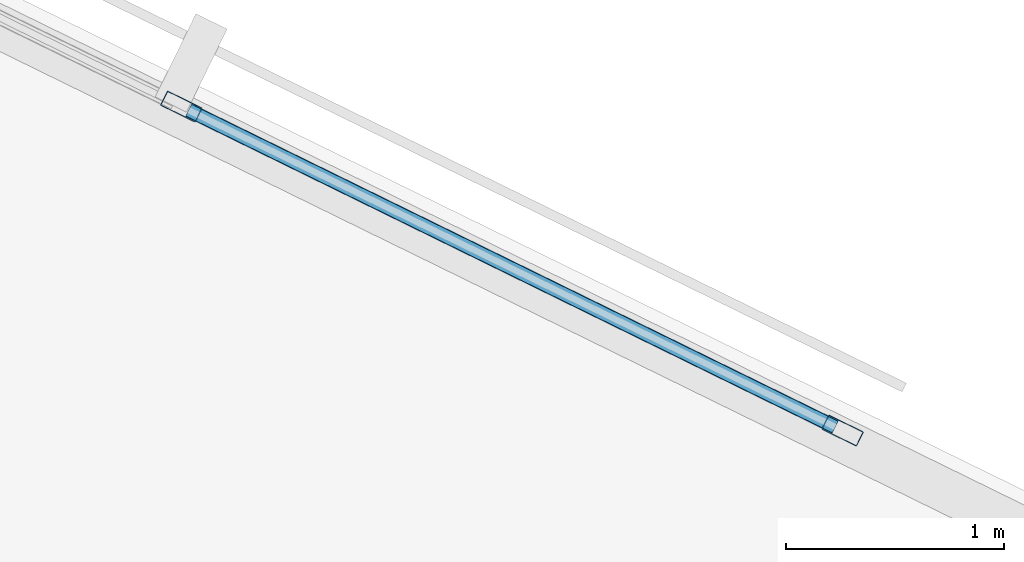
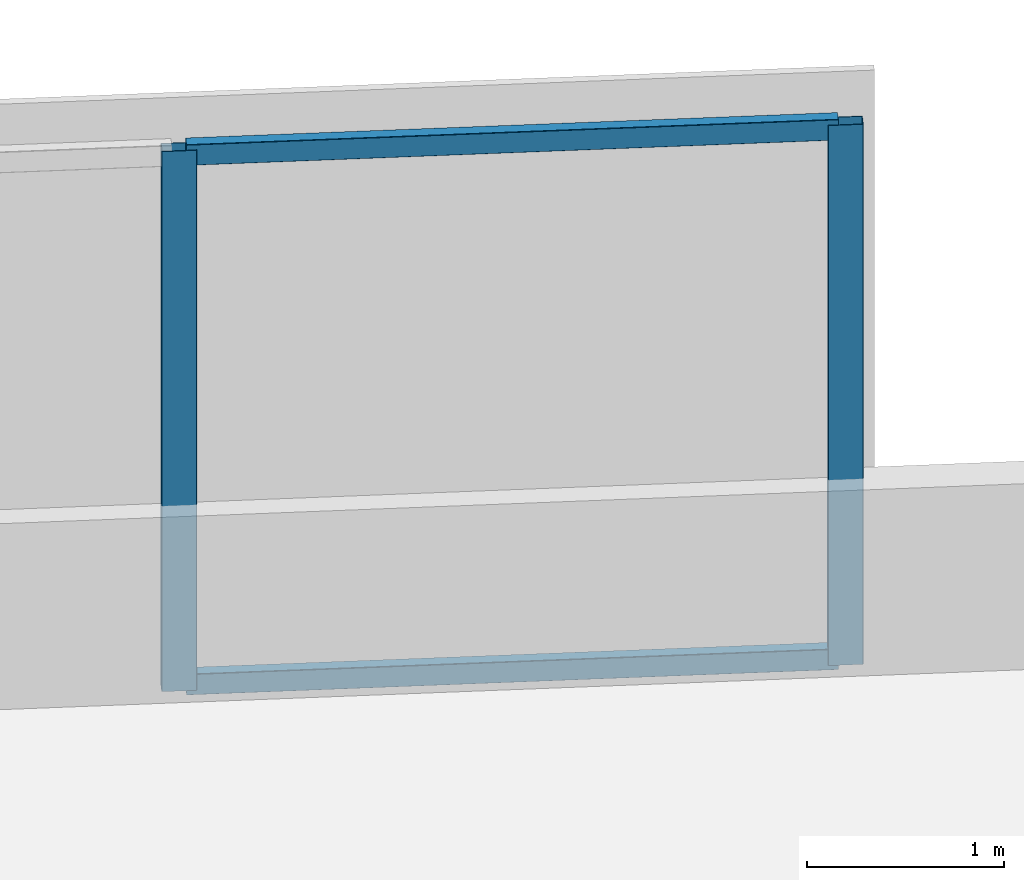
# One storey, part 2 of 18: 4 members, 1 element without a shape of its own.
"""IFC4 building model written with IfcOpenShell, lengths in metres."""

import ifcopenshell
import ifcopenshell.guid

model = None  # the IFC model being written
_history = None  # IfcOwnerHistory: only IFC2X3 demands one
_inside = {}  # id of a spatial element -> (the spatial element, [elements in it])
_under = {}  # id of a project, library or spatial element -> (it, [spatial elements below it])
_declared = {}  # id of a project -> (the project, [libraries it declares])
_typed = {}  # id of a type object -> (the type object, [elements of that type])
_made_of = {}  # id of a material, layer set ... -> (it, [elements and type objects made of it])


def new_model(schema):
    """Start an empty IFC model of exactly this schema.

    Asked for "IFC4X3", IfcOpenShell would pick the latest addendum, in which some entities
    have other attributes; the version numbers below select the first issue.
    IFC2X3 requires an IfcOwnerHistory on every rooted entity: one is made here for all.
    """
    global model, _history
    if schema == "IFC4X3":
        model = ifcopenshell.file(schema_version=(4, 3, 0, 0))
    else:
        model = ifcopenshell.file(schema=schema)
    _inside.clear()
    _under.clear()
    _declared.clear()
    _typed.clear()
    _made_of.clear()
    _history = None
    if model.schema == "IFC2X3":
        org = make("IfcOrganization", Name="unknown")
        user = make(
            "IfcPersonAndOrganization",
            ThePerson=make("IfcPerson", FamilyName="unknown"),
            TheOrganization=org,
        )
        app = make(
            "IfcApplication",
            ApplicationDeveloper=org,
            Version="unknown",
            ApplicationFullName="unknown",
            ApplicationIdentifier="unknown",
        )
        _history = make(
            "IfcOwnerHistory",
            OwningUser=user,
            OwningApplication=app,
            ChangeAction="ADDED",
            CreationDate=0,
        )
    return model


def make(cls, **values):
    """One entity of the class cls with the attributes given. An attribute that is None is left unset."""
    return model.create_entity(
        cls, **{name: value for name, value in values.items() if value is not None}
    )


def rooted(cls, **values):
    """An entity with a GlobalId (a new one), such as an element, a storey or a relation."""
    return make(cls, GlobalId=ifcopenshell.guid.new(), OwnerHistory=_history, **values)


def si_unit(unit_type, name, prefix=None):
    """IfcSIUnit, for example si_unit("LENGTHUNIT", "METRE", prefix="MILLI")."""
    return make("IfcSIUnit", UnitType=unit_type, Prefix=prefix, Name=name)


def assignment(units):
    """IfcUnitAssignment: the units of a project."""
    return None if units is None else make("IfcUnitAssignment", Units=units)


def point(xyz):
    """IfcCartesianPoint."""
    return None if xyz is None else make("IfcCartesianPoint", Coordinates=xyz)


def direction(xyz):
    """IfcDirection."""
    return None if xyz is None else make("IfcDirection", DirectionRatios=xyz)


def frame(location, z_axis=None, x_axis=None):
    """IfcAxis2Placement3D, a coordinate frame: its origin and axes. An axis left out is left unset."""
    return make(
        "IfcAxis2Placement3D",
        Location=point(location),
        Axis=direction(z_axis),
        RefDirection=direction(x_axis),
    )


def frame_2d(location, x_axis=None):
    """IfcAxis2Placement2D, a coordinate frame in the plane: its origin and x axis."""
    return make(
        "IfcAxis2Placement2D", Location=point(location), RefDirection=direction(x_axis)
    )


def origin():
    """The frame at (0, 0, 0) with its axes left unset."""
    return frame((0.0, 0.0, 0.0))


def origin_2d():
    """The frame at (0, 0) in the plane with its x axis left unset."""
    return frame_2d((0.0, 0.0))


def place(relative_to, where):
    """IfcLocalPlacement: puts the frame where relative to a parent placement (None: the world)."""
    return make(
        "IfcLocalPlacement", PlacementRelTo=relative_to, RelativePlacement=where
    )


def context(
    kind, dimensions, precision=None, world=None, true_north=None, identifier=None
):
    """IfcGeometricRepresentationContext, for example the 3D "Model" context."""
    return make(
        "IfcGeometricRepresentationContext",
        ContextIdentifier=identifier,
        ContextType=kind,
        CoordinateSpaceDimension=dimensions,
        Precision=precision,
        WorldCoordinateSystem=world,
        TrueNorth=true_north,
    )


def subcontext(parent, identifier, kind, view, scale=None):
    """IfcGeometricRepresentationSubContext, for example "Body" below "Model"."""
    return make(
        "IfcGeometricRepresentationSubContext",
        ContextIdentifier=identifier,
        ContextType=kind,
        ParentContext=parent,
        TargetScale=scale,
        TargetView=view,
    )


def project(units=None, contexts=None):
    """IfcProject with its units and contexts."""
    return rooted(
        "IfcProject",
        Name="project",
        RepresentationContexts=contexts,
        UnitsInContext=assignment(units),
    )


def spatial(cls, under=None, at=None, **own):
    """A site, building, storey or space (cls), placed at a placement, below another one or the project."""
    s = rooted(cls, ObjectPlacement=at, **own)
    if under is not None:
        _under.setdefault(under.id(), (under, []))[1].append(s)
    return s


def profile(cls, at=None, kind="AREA", **sizes):
    """A parametric profile (cls). Its sizes go by their IFC names, for example OverallWidth=200.0."""
    return make(cls, ProfileType=kind, Position=at, **sizes)


def hollow_rectangle(**sizes):
    """IfcRectangleHollowProfileDef."""
    return profile("IfcRectangleHollowProfileDef", **sizes)


def extrude(swept, where, along, depth):
    """IfcExtrudedAreaSolid: the profile swept, set in the frame where, extruded along a direction by depth."""
    return make(
        "IfcExtrudedAreaSolid",
        SweptArea=swept,
        Position=where,
        ExtrudedDirection=direction(along),
        Depth=depth,
    )


def shape(context_of_items, identifier, shape_type, items):
    """IfcShapeRepresentation: the items that make up one representation, for example the "Body"."""
    return make(
        "IfcShapeRepresentation",
        ContextOfItems=context_of_items,
        RepresentationIdentifier=identifier,
        RepresentationType=shape_type,
        Items=items,
    )


def material(Name=None, Category=None):
    """IfcMaterial."""
    return make("IfcMaterial", Name=Name, Category=Category)


def material_profile(
    of_material, cross_section, Name=None, Category=None, Priority=None
):
    """IfcMaterialProfile: a cross section and its material."""
    return make(
        "IfcMaterialProfile",
        Name=Name,
        Material=of_material,
        Profile=cross_section,
        Priority=Priority,
        Category=Category,
    )


def profile_set(profiles, Name=None, composite=None):
    """IfcMaterialProfileSet."""
    return make(
        "IfcMaterialProfileSet",
        Name=Name,
        MaterialProfiles=profiles,
        CompositeProfile=composite,
    )


def made_of(thing, what):
    """Note that an element or type object is made of a material, layer set ...; save() writes the relation."""
    if what is not None:
        _made_of.setdefault(what.id(), (what, []))[1].append(thing)
    return thing


def type_object(cls, material=None, **own):
    """A type object (cls), such as IfcWallType, which elements share."""
    return made_of(rooted(cls, **own), material)


def element(
    cls,
    number,
    at=None,
    inside=None,
    cuts=None,
    type_object=None,
    material=None,
    context=None,
    identifier="Body",
    shape_type=None,
    held_by="IfcProductDefinitionShape",
    body=None,
    shapes=None,
    **own,
):
    """One element of the class cls, such as IfcWall. Its Tag is "e" and its number.

    at: its placement. inside: the storey or other place that contains it. cuts: it is an
    opening in that element (IfcRelVoidsElement). A single representation is given by context,
    identifier, shape_type and body (its items); several are given by shapes. held_by: the class
    of the entity that holds the representations. save() writes the other relations.
    """
    e = rooted(cls, Tag="e%d" % number, ObjectPlacement=at, **own)
    if body is not None:
        shapes = [shape(context, identifier, shape_type, body)]
    if shapes is not None:
        e.Representation = make(held_by, Representations=shapes)
    if inside is not None:
        _inside.setdefault(inside.id(), (inside, []))[1].append(e)
    if cuts is not None:
        rooted(
            "IfcRelVoidsElement", RelatingBuildingElement=cuts, RelatedOpeningElement=e
        )
    if type_object is not None:
        _typed.setdefault(type_object.id(), (type_object, []))[1].append(e)
    return made_of(e, material)


def aggregate(whole, parts):
    """IfcRelAggregates: a whole, such as a stair, and the parts it consists of."""
    return rooted("IfcRelAggregates", RelatingObject=whole, RelatedObjects=parts)


def save(model, path):
    """Write the relations noted so far, then the file.

    IfcRelAggregates (storeys below a building ...), IfcRelContainedInSpatialStructure (elements
    in a storey), IfcRelDefinesByType, IfcRelAssociatesMaterial and IfcRelDeclares: one each for
    every whole, place, type object, material and project.
    """
    for whole, parts in _under.values():
        aggregate(whole, parts)
    for where, things in _inside.values():
        rooted(
            "IfcRelContainedInSpatialStructure",
            RelatedElements=things,
            RelatingStructure=where,
        )
    for kind, things in _typed.values():
        rooted("IfcRelDefinesByType", RelatedObjects=things, RelatingType=kind)
    for what, things in _made_of.values():
        rooted("IfcRelAssociatesMaterial", RelatedObjects=things, RelatingMaterial=what)
    for by, libraries in _declared.values():
        rooted("IfcRelDeclares", RelatingContext=by, RelatedDefinitions=libraries)
    model.write(path)


model = new_model("IFC4")

# Units and contexts
model_context = context("Model", 3, precision=1e-05, world=origin(), true_north=direction((0.0, 1.0)))
body_context = subcontext(model_context, "Body", "Model", "MODEL_VIEW")
ifc_project = project(units=[si_unit("LENGTHUNIT", "METRE"), si_unit("AREAUNIT", "SQUARE_METRE"), si_unit("VOLUMEUNIT", "CUBIC_METRE"), si_unit("PLANEANGLEUNIT", "RADIAN"), si_unit("MASSUNIT", "GRAM", prefix="KILO")], contexts=[model_context])

# Site, building, storey
site_placement = place(None, origin())
site = spatial("IfcSite", under=ifc_project, at=site_placement, CompositionType="ELEMENT")
building_placement = place(site_placement, origin())
building = spatial("IfcBuilding", under=site, at=building_placement, Name="Narakoshi Arena Tower", CompositionType="ELEMENT")
storey_placement = place(building_placement, frame((0.0, 0.0, 102.89990234375)))
storey = spatial("IfcBuildingStorey", under=building, at=storey_placement, Name="L27", CompositionType="ELEMENT", Elevation=102.89990234375)

# Curtain wall, members
ifc_material = material(Name="Anodised bronze aluminium 6063-T6", Category="aluminium")
curtain_wall_type = type_object("IfcCurtainWallType", Name="CW-HYP-LOW", PredefinedType="NOTDEFINED", material=ifc_material)
curtain_wall_placement = place(storey_placement, origin())
curtain_wall = element("IfcCurtainWall", 1, at=curtain_wall_placement, inside=storey, type_object=curtain_wall_type, Name="L27 Folded Hypotenuse Curtain Wall 2-1", PredefinedType="NOTDEFINED")
ifc_material_profile_1 = material_profile(ifc_material, hollow_rectangle(XDim=0.074951171875, YDim=0.179931640625, WallThickness=0.00390625, OuterFilletRadius=0.0048828125, at=origin_2d()), Name="MUL180x75x4")
ifc_profile_set_1 = profile_set([ifc_material_profile_1], Name="Anodised bronze aluminium 6063-T6")
member_type_1 = type_object("IfcMemberType", Name="MEM-MUL-180", PredefinedType="MULLION", material=ifc_profile_set_1)
member_1_placement = place(storey_placement, frame((87.598876953125, 62.51513671875, 0.0), z_axis=(0.0, 0.0, 1.0), x_axis=(-0.440004510198, -0.89799556291, 0.0)))
member_1 = element("IfcMember", 2, at=member_1_placement, type_object=member_type_1, Name="CW-01 mullion 1", PredefinedType="MULLION", context=body_context, shape_type="SweptSolid", body=[
    extrude(hollow_rectangle(XDim=0.074951171875, YDim=0.179931640625, WallThickness=0.00390625, OuterFilletRadius=0.0048828125, at=origin_2d()), origin(), (0.0, 0.0, 1.0), 3.340087890625),
])
member_2_placement = place(storey_placement, frame((84.559326171875, 64.00439453125, 0.0), z_axis=(0.0, 0.0, 1.0), x_axis=(-0.440004510198, -0.89799556291, 0.0)))
member_2 = element("IfcMember", 3, at=member_2_placement, type_object=member_type_1, Name="CW-01 mullion 2", PredefinedType="MULLION", context=body_context, shape_type="SweptSolid", body=[
    extrude(hollow_rectangle(XDim=0.074951171875, YDim=0.179931640625, WallThickness=0.00390625, OuterFilletRadius=0.0048828125, at=origin_2d()), origin(), (0.0, 0.0, 1.0), 3.340087890625),
])
ifc_material_profile_2 = material_profile(ifc_material, hollow_rectangle(XDim=0.06494140625, YDim=0.1298828125, WallThickness=0.00390625, OuterFilletRadius=0.0048828125, at=origin_2d()), Name="TRN130x65x4")
ifc_profile_set_2 = profile_set([ifc_material_profile_2], Name="Anodised bronze aluminium 6063-T6")
member_type_2 = type_object("IfcMemberType", Name="MEM-TRN-130", PredefinedType="USERDEFINED", material=ifc_profile_set_2)
member_3_placement = place(storey_placement, frame((87.565185546875, 62.531494140625, 0.03271484375), z_axis=(-0.897968733038, 0.44005926247, 0.0), x_axis=(-0.44005926247, -0.897968733038, 0.0)))
member_3 = element("IfcMember", 4, at=member_3_placement, type_object=member_type_2, Name="CW-01 transom 1.1", ObjectType="TRANSOM", PredefinedType="USERDEFINED", context=body_context, shape_type="SweptSolid", body=[
    extrude(hollow_rectangle(XDim=0.06494140625, YDim=0.1298828125, WallThickness=0.00390625, OuterFilletRadius=0.0048828125, at=origin_2d()), origin(), (0.0, 0.0, 1.0), 3.309814453125),
])
member_4_placement = place(storey_placement, frame((87.565185546875, 62.531494140625, 3.3076171875), z_axis=(-0.897968733038, 0.44005926247, 0.0), x_axis=(-0.44005926247, -0.897968733038, 0.0)))
member_4 = element("IfcMember", 5, at=member_4_placement, type_object=member_type_2, Name="CW-01 transom 1.2", ObjectType="TRANSOM", PredefinedType="USERDEFINED", context=body_context, shape_type="SweptSolid", body=[
    extrude(hollow_rectangle(XDim=0.06494140625, YDim=0.1298828125, WallThickness=0.00390625, OuterFilletRadius=0.0048828125, at=origin_2d()), origin(), (0.0, 0.0, 1.0), 3.309814453125),
])
aggregate(curtain_wall, [member_1, member_2, member_3, member_4])

save(model, "model.ifc")
